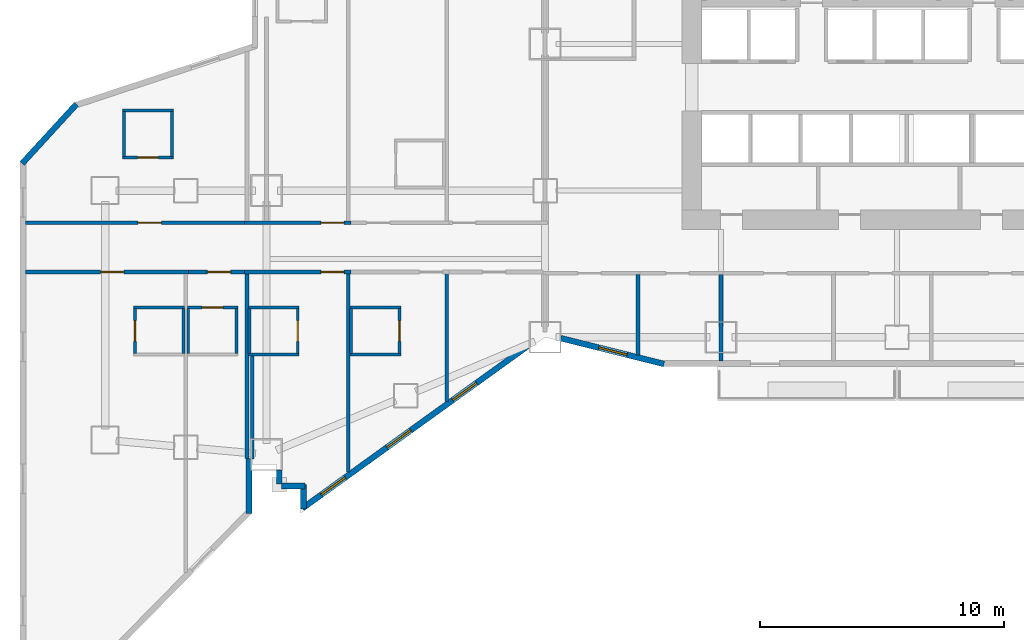
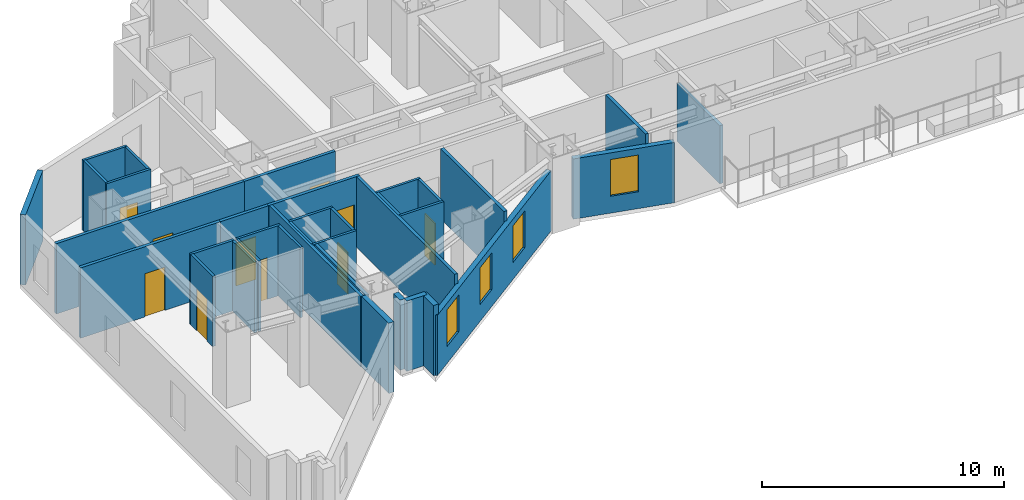
# One storey, part 7 of 19: 36 walls, 10 doors, 4 windows, 14 openings.
"""IFC4 building model written with IfcOpenShell, lengths in metres."""

import ifcopenshell
import ifcopenshell.guid

model = None  # the IFC model being written
_history = None  # IfcOwnerHistory: only IFC2X3 demands one
_inside = {}  # id of a spatial element -> (the spatial element, [elements in it])
_under = {}  # id of a project, library or spatial element -> (it, [spatial elements below it])
_declared = {}  # id of a project -> (the project, [libraries it declares])
_typed = {}  # id of a type object -> (the type object, [elements of that type])
_made_of = {}  # id of a material, layer set ... -> (it, [elements and type objects made of it])


def new_model(schema):
    """Start an empty IFC model of exactly this schema.

    Asked for "IFC4X3", IfcOpenShell would pick the latest addendum, in which some entities
    have other attributes; the version numbers below select the first issue.
    IFC2X3 requires an IfcOwnerHistory on every rooted entity: one is made here for all.
    """
    global model, _history
    if schema == "IFC4X3":
        model = ifcopenshell.file(schema_version=(4, 3, 0, 0))
    else:
        model = ifcopenshell.file(schema=schema)
    _inside.clear()
    _under.clear()
    _declared.clear()
    _typed.clear()
    _made_of.clear()
    _history = None
    if model.schema == "IFC2X3":
        org = make("IfcOrganization", Name="unknown")
        user = make(
            "IfcPersonAndOrganization",
            ThePerson=make("IfcPerson", FamilyName="unknown"),
            TheOrganization=org,
        )
        app = make(
            "IfcApplication",
            ApplicationDeveloper=org,
            Version="unknown",
            ApplicationFullName="unknown",
            ApplicationIdentifier="unknown",
        )
        _history = make(
            "IfcOwnerHistory",
            OwningUser=user,
            OwningApplication=app,
            ChangeAction="ADDED",
            CreationDate=0,
        )
    return model


def make(cls, **values):
    """One entity of the class cls with the attributes given. An attribute that is None is left unset."""
    return model.create_entity(
        cls, **{name: value for name, value in values.items() if value is not None}
    )


def rooted(cls, **values):
    """An entity with a GlobalId (a new one), such as an element, a storey or a relation."""
    return make(cls, GlobalId=ifcopenshell.guid.new(), OwnerHistory=_history, **values)


def si_unit(unit_type, name, prefix=None):
    """IfcSIUnit, for example si_unit("LENGTHUNIT", "METRE", prefix="MILLI")."""
    return make("IfcSIUnit", UnitType=unit_type, Prefix=prefix, Name=name)


def assignment(units):
    """IfcUnitAssignment: the units of a project."""
    return None if units is None else make("IfcUnitAssignment", Units=units)


def point(xyz):
    """IfcCartesianPoint."""
    return None if xyz is None else make("IfcCartesianPoint", Coordinates=xyz)


def direction(xyz):
    """IfcDirection."""
    return None if xyz is None else make("IfcDirection", DirectionRatios=xyz)


def frame(location, z_axis=None, x_axis=None):
    """IfcAxis2Placement3D, a coordinate frame: its origin and axes. An axis left out is left unset."""
    return make(
        "IfcAxis2Placement3D",
        Location=point(location),
        Axis=direction(z_axis),
        RefDirection=direction(x_axis),
    )


def frame_2d(location, x_axis=None):
    """IfcAxis2Placement2D, a coordinate frame in the plane: its origin and x axis."""
    return make(
        "IfcAxis2Placement2D", Location=point(location), RefDirection=direction(x_axis)
    )


def origin():
    """The frame at (0, 0, 0) with its axes left unset."""
    return frame((0.0, 0.0, 0.0))


def place(relative_to, where):
    """IfcLocalPlacement: puts the frame where relative to a parent placement (None: the world)."""
    return make(
        "IfcLocalPlacement", PlacementRelTo=relative_to, RelativePlacement=where
    )


def context(
    kind, dimensions, precision=None, world=None, true_north=None, identifier=None
):
    """IfcGeometricRepresentationContext, for example the 3D "Model" context."""
    return make(
        "IfcGeometricRepresentationContext",
        ContextIdentifier=identifier,
        ContextType=kind,
        CoordinateSpaceDimension=dimensions,
        Precision=precision,
        WorldCoordinateSystem=world,
        TrueNorth=true_north,
    )


def subcontext(parent, identifier, kind, view, scale=None):
    """IfcGeometricRepresentationSubContext, for example "Body" below "Model"."""
    return make(
        "IfcGeometricRepresentationSubContext",
        ContextIdentifier=identifier,
        ContextType=kind,
        ParentContext=parent,
        TargetScale=scale,
        TargetView=view,
    )


def project(units=None, contexts=None):
    """IfcProject with its units and contexts."""
    return rooted(
        "IfcProject",
        Name="project",
        RepresentationContexts=contexts,
        UnitsInContext=assignment(units),
    )


def spatial(cls, under=None, at=None, **own):
    """A site, building, storey or space (cls), placed at a placement, below another one or the project."""
    s = rooted(cls, ObjectPlacement=at, **own)
    if under is not None:
        _under.setdefault(under.id(), (under, []))[1].append(s)
    return s


def profile(cls, at=None, kind="AREA", **sizes):
    """A parametric profile (cls). Its sizes go by their IFC names, for example OverallWidth=200.0."""
    return make(cls, ProfileType=kind, Position=at, **sizes)


def rectangle(**sizes):
    """IfcRectangleProfileDef."""
    return profile("IfcRectangleProfileDef", **sizes)


def extrude(swept, where, along, depth):
    """IfcExtrudedAreaSolid: the profile swept, set in the frame where, extruded along a direction by depth."""
    return make(
        "IfcExtrudedAreaSolid",
        SweptArea=swept,
        Position=where,
        ExtrudedDirection=direction(along),
        Depth=depth,
    )


def shape(context_of_items, identifier, shape_type, items):
    """IfcShapeRepresentation: the items that make up one representation, for example the "Body"."""
    return make(
        "IfcShapeRepresentation",
        ContextOfItems=context_of_items,
        RepresentationIdentifier=identifier,
        RepresentationType=shape_type,
        Items=items,
    )


def material(Name=None, Category=None):
    """IfcMaterial."""
    return make("IfcMaterial", Name=Name, Category=Category)


def layer(
    of_material, thickness, ventilated=None, Name=None, Category=None, Priority=None
):
    """IfcMaterialLayer: one layer of a wall or slab, of a material (None: an air gap)."""
    return make(
        "IfcMaterialLayer",
        Material=of_material,
        LayerThickness=thickness,
        IsVentilated=ventilated,
        Name=Name,
        Category=Category,
        Priority=Priority,
    )


def layer_set(layers, Name=None):
    """IfcMaterialLayerSet."""
    return make("IfcMaterialLayerSet", MaterialLayers=layers, LayerSetName=Name)


def made_of(thing, what):
    """Note that an element or type object is made of a material, layer set ...; save() writes the relation."""
    if what is not None:
        _made_of.setdefault(what.id(), (what, []))[1].append(thing)
    return thing


def type_object(cls, material=None, **own):
    """A type object (cls), such as IfcWallType, which elements share."""
    return made_of(rooted(cls, **own), material)


def element(
    cls,
    number,
    at=None,
    inside=None,
    cuts=None,
    type_object=None,
    material=None,
    context=None,
    identifier="Body",
    shape_type=None,
    held_by="IfcProductDefinitionShape",
    body=None,
    shapes=None,
    **own,
):
    """One element of the class cls, such as IfcWall. Its Tag is "e" and its number.

    at: its placement. inside: the storey or other place that contains it. cuts: it is an
    opening in that element (IfcRelVoidsElement). A single representation is given by context,
    identifier, shape_type and body (its items); several are given by shapes. held_by: the class
    of the entity that holds the representations. save() writes the other relations.
    """
    e = rooted(cls, Tag="e%d" % number, ObjectPlacement=at, **own)
    if body is not None:
        shapes = [shape(context, identifier, shape_type, body)]
    if shapes is not None:
        e.Representation = make(held_by, Representations=shapes)
    if inside is not None:
        _inside.setdefault(inside.id(), (inside, []))[1].append(e)
    if cuts is not None:
        rooted(
            "IfcRelVoidsElement", RelatingBuildingElement=cuts, RelatedOpeningElement=e
        )
    if type_object is not None:
        _typed.setdefault(type_object.id(), (type_object, []))[1].append(e)
    return made_of(e, material)


def fill(opening, filler):
    """IfcRelFillsElement: the door or window that sits in an opening."""
    return rooted(
        "IfcRelFillsElement",
        RelatingOpeningElement=opening,
        RelatedBuildingElement=filler,
    )


def aggregate(whole, parts):
    """IfcRelAggregates: a whole, such as a stair, and the parts it consists of."""
    return rooted("IfcRelAggregates", RelatingObject=whole, RelatedObjects=parts)


def save(model, path):
    """Write the relations noted so far, then the file.

    IfcRelAggregates (storeys below a building ...), IfcRelContainedInSpatialStructure (elements
    in a storey), IfcRelDefinesByType, IfcRelAssociatesMaterial and IfcRelDeclares: one each for
    every whole, place, type object, material and project.
    """
    for whole, parts in _under.values():
        aggregate(whole, parts)
    for where, things in _inside.values():
        rooted(
            "IfcRelContainedInSpatialStructure",
            RelatedElements=things,
            RelatingStructure=where,
        )
    for kind, things in _typed.values():
        rooted("IfcRelDefinesByType", RelatedObjects=things, RelatingType=kind)
    for what, things in _made_of.values():
        rooted("IfcRelAssociatesMaterial", RelatedObjects=things, RelatingMaterial=what)
    for by, libraries in _declared.values():
        rooted("IfcRelDeclares", RelatingContext=by, RelatedDefinitions=libraries)
    model.write(path)


model = new_model("IFC4")

# Units and contexts
model_context = context("Model", 3, precision=1e-05, world=origin(), true_north=direction((0.0, 1.0)))
body_context = subcontext(model_context, "Body", "Model", "MODEL_VIEW")
ifc_project = project(units=[si_unit("LENGTHUNIT", "METRE"), si_unit("AREAUNIT", "SQUARE_METRE"), si_unit("VOLUMEUNIT", "CUBIC_METRE"), si_unit("PLANEANGLEUNIT", "RADIAN"), si_unit("MASSUNIT", "GRAM", prefix="KILO")], contexts=[model_context])

# Site, building, storey
site_placement = place(None, origin())
site = spatial("IfcSite", under=ifc_project, at=site_placement, CompositionType="ELEMENT")
building_placement = place(site_placement, origin())
building = spatial("IfcBuilding", under=site, at=building_placement, Name="Haolan Belvedere Tower", CompositionType="ELEMENT")
storey_placement = place(building_placement, frame((0.0, 0.0, 39.199951171875)))
storey = spatial("IfcBuildingStorey", under=building, at=storey_placement, Name="L09", CompositionType="ELEMENT", Elevation=39.199951171875)

# Walls
ifc_material_1 = material(Name="Precast concrete C40/50", Category="concrete")
ifc_layer_1 = layer(ifc_material_1, 0.239990234375, Name="Precast concrete C40/50")
ifc_layer_set_1 = layer_set([ifc_layer_1], Name="Precast concrete C40/50")
wall_type_1 = type_object("IfcWallType", Name="WL-EXT-240", PredefinedType="SOLIDWALL", material=ifc_layer_set_1)
wall_1_placement = place(storey_placement, frame((11.8798828125, 14.39404296875, 0.0), z_axis=(0.0, 0.0, 1.0), x_axis=(0.0, 1.0, 0.0)))
element("IfcWall", 1, at=wall_1_placement, inside=storey, type_object=wall_type_1, Name="L09 pale-metal exterior spandrel wall 6.1", PredefinedType="SOLIDWALL", context=body_context, shape_type="SweptSolid", body=[
    extrude(rectangle(XDim=2.245849609375, YDim=0.239990234375, at=frame_2d((1.123046875, 0.0))), origin(), (0.0, 0.0, 1.0), 3.5400390625),
])
wall_2_placement = place(storey_placement, frame((13.1201171875, 16.157958984375, 0.0), z_axis=(0.0, 0.0, 1.0), x_axis=(0.0, -1.0, 0.0)))
element("IfcWall", 2, at=wall_2_placement, inside=storey, type_object=wall_type_1, Name="L09 pale-metal exterior spandrel wall 8.1", PredefinedType="SOLIDWALL", context=body_context, shape_type="SweptSolid", body=[
    extrude(rectangle(XDim=0.552978515625, YDim=0.239990234375, at=frame_2d((0.2763671875, 0.0))), origin(), (0.0, 0.0, 1.0), 3.5400390625),
])
wall_3_placement = place(storey_placement, frame((13.205078125, 15.52001953125, 0.0), z_axis=(0.0, 0.0, 1.0), x_axis=(1.0, 0.0, 0.0)))
element("IfcWall", 3, at=wall_3_placement, inside=storey, type_object=wall_type_1, Name="L09 pale-metal exterior spandrel wall 9.1", PredefinedType="SOLIDWALL", context=body_context, shape_type="SweptSolid", body=[
    extrude(rectangle(XDim=0.969970703125, YDim=0.239990234375, at=frame_2d((0.48486328125, 0.0))), origin(), (0.0, 0.0, 1.0), 3.5400390625),
])
wall_4_placement = place(storey_placement, frame((14.1201171875, 15.574951171875, 0.0), z_axis=(0.0, 0.0, 1.0), x_axis=(0.0, -1.0, 0.0)))
element("IfcWall", 4, at=wall_4_placement, inside=storey, type_object=wall_type_1, Name="L09 pale-metal exterior spandrel wall 10.1", PredefinedType="SOLIDWALL", context=body_context, shape_type="SweptSolid", body=[
    extrude(rectangle(XDim=0.99560546875, YDim=0.239990234375, at=frame_2d((0.497802734375, 0.0))), origin(), (0.0, 0.0, 1.0), 3.5400390625),
])

# Wall, openings, windows
wall_5_placement = place(storey_placement, frame((14.075439453125, 14.602294921875, 0.0), z_axis=(0.0, 0.0, 1.0), x_axis=(0.811535555989, 0.584303038984, 0.0)))
wall_5 = element("IfcWall", 5, at=wall_5_placement, inside=storey, type_object=wall_type_1, Name="L09 pale-metal exterior spandrel wall 11.1", PredefinedType="SOLIDWALL", context=body_context, shape_type="SweptSolid", body=[
    extrude(rectangle(XDim=11.438232421875, YDim=0.239990234375, at=frame_2d((5.71923828125, 0.0))), origin(), (0.0, 0.0, 1.0), 3.037109375),
])
opening_1_placement = place(wall_5_placement, frame((0.950439453125, 0.0, 0.85009765625)))
opening_1 = element("IfcOpeningElement", 6, at=opening_1_placement, cuts=wall_5, Name="Opening W-01", PredefinedType="OPENING", context=body_context, shape_type="SweptSolid", body=[
    extrude(rectangle(XDim=1.199951171875, YDim=1.85009765625, at=frame_2d((0.60009765625, 0.925048828125))), frame((0.0, 0.1298828125, 0.0), z_axis=(0.0, -1.0, 0.0), x_axis=(1.0, 0.0, 0.0)), (0.0, 0.0, 1.0), 0.260009765625),
])
opening_2_placement = place(wall_5_placement, frame((7.57421875, 0.0, 0.85009765625)))
opening_2 = element("IfcOpeningElement", 7, at=opening_2_placement, cuts=wall_5, Name="Opening W-01", PredefinedType="OPENING", context=body_context, shape_type="SweptSolid", body=[
    extrude(rectangle(XDim=1.199951171875, YDim=1.85009765625, at=frame_2d((0.60009765625, 0.925048828125))), frame((0.0, 0.1298828125, 0.0), z_axis=(0.0, -1.0, 0.0), x_axis=(1.0, 0.0, 0.0)), (0.0, 0.0, 1.0), 0.260009765625),
])
opening_3_placement = place(wall_5_placement, frame((4.26220703125, 0.0, 0.85009765625)))
opening_3 = element("IfcOpeningElement", 8, at=opening_3_placement, cuts=wall_5, Name="Opening W-01", PredefinedType="OPENING", context=body_context, shape_type="SweptSolid", body=[
    extrude(rectangle(XDim=1.199951171875, YDim=1.85009765625, at=frame_2d((0.60009765625, 0.925048828125))), frame((0.0, 0.1298828125, 0.0), z_axis=(0.0, -1.0, 0.0), x_axis=(1.0, 0.0, 0.0)), (0.0, 0.0, 1.0), 0.260009765625),
])
ifc_material_2 = material(Name="Anodised aluminium 6063-T6 and Low-E glass", Category="aluminium")
window_type = type_object("IfcWindowType", Name="WN-DECO-Z1", PartitioningType="SINGLE_PANEL", PredefinedType="WINDOW", material=ifc_material_2)
window_1_placement = place(opening_1_placement, origin())
window_1 = element("IfcWindow", 9, at=window_1_placement, inside=storey, type_object=window_type, Name="L09 Art Deco chevron window 1", OverallHeight=1.85009765625, OverallWidth=1.199951171875, PartitioningType="SINGLE_PANEL", PredefinedType="WINDOW", context=body_context, shape_type="SweptSolid", body=[
    extrude(rectangle(XDim=1.199951171875, YDim=1.85009765625, at=frame_2d((0.60009765625, 0.925048828125))), frame((0.0, 0.030029296875, 0.0), z_axis=(0.0, -1.0, 0.0), x_axis=(1.0, 0.0, 0.0)), (0.0, 0.0, 1.0), 0.06005859375),
])
fill(opening_1, window_1)
window_2_placement = place(opening_2_placement, origin())
window_2 = element("IfcWindow", 10, at=window_2_placement, inside=storey, type_object=window_type, Name="L09 Art Deco chevron window 2", OverallHeight=1.85009765625, OverallWidth=1.199951171875, PartitioningType="SINGLE_PANEL", PredefinedType="WINDOW", context=body_context, shape_type="SweptSolid", body=[
    extrude(rectangle(XDim=1.199951171875, YDim=1.85009765625, at=frame_2d((0.60009765625, 0.925048828125))), frame((0.0, 0.030029296875, 0.0), z_axis=(0.0, -1.0, 0.0), x_axis=(1.0, 0.0, 0.0)), (0.0, 0.0, 1.0), 0.06005859375),
])
fill(opening_2, window_2)
window_3_placement = place(opening_3_placement, origin())
window_3 = element("IfcWindow", 11, at=window_3_placement, inside=storey, type_object=window_type, Name="L09 Art Deco guestroom window 1", OverallHeight=1.85009765625, OverallWidth=1.199951171875, PartitioningType="SINGLE_PANEL", PredefinedType="WINDOW", context=body_context, shape_type="SweptSolid", body=[
    extrude(rectangle(XDim=1.199951171875, YDim=1.85009765625, at=frame_2d((0.60009765625, 0.925048828125))), frame((0.0, 0.030029296875, 0.0), z_axis=(0.0, -1.0, 0.0), x_axis=(1.0, 0.0, 0.0)), (0.0, 0.0, 1.0), 0.06005859375),
])
fill(opening_3, window_3)

# Wall, opening, window
wall_6_placement = place(storey_placement, frame((24.64208984375, 21.563232421875, 0.0), z_axis=(0.0, 0.0, 1.0), x_axis=(0.970135906278, -0.242561998982, 0.0)))
wall_6 = element("IfcWall", 12, at=wall_6_placement, inside=storey, type_object=wall_type_1, Name="L09 pale-metal exterior spandrel wall 12.1", PredefinedType="SOLIDWALL", context=body_context, shape_type="SweptSolid", body=[
    extrude(rectangle(XDim=4.356201171875, YDim=0.239990234375, at=frame_2d((2.17822265625, 0.0))), origin(), (0.0, 0.0, 1.0), 3.037109375),
])
opening_4_placement = place(wall_6_placement, frame((1.60009765625, 0.0, 0.85009765625)))
opening_4 = element("IfcOpeningElement", 13, at=opening_4_placement, cuts=wall_6, Name="Opening W-01", PredefinedType="OPENING", context=body_context, shape_type="SweptSolid", body=[
    extrude(rectangle(XDim=1.199951171875, YDim=1.85009765625, at=frame_2d((0.60009765625, 0.925048828125))), frame((0.0, 0.1298828125, 0.0), z_axis=(0.0, -1.0, 0.0), x_axis=(1.0, 0.0, 0.0)), (0.0, 0.0, 1.0), 0.260009765625),
])
window_4_placement = place(opening_4_placement, origin())
window_4 = element("IfcWindow", 14, at=window_4_placement, inside=storey, type_object=window_type, Name="L09 Art Deco chevron window 1", OverallHeight=1.85009765625, OverallWidth=1.199951171875, PartitioningType="SINGLE_PANEL", PredefinedType="WINDOW", context=body_context, shape_type="SweptSolid", body=[
    extrude(rectangle(XDim=1.199951171875, YDim=1.85009765625, at=frame_2d((0.60009765625, 0.925048828125))), frame((0.0, 0.030029296875, 0.0), z_axis=(0.0, -1.0, 0.0), x_axis=(1.0, 0.0, 0.0)), (0.0, 0.0, 1.0), 0.06005859375),
])
fill(opening_4, window_4)

# Walls
wall_7_placement = place(storey_placement, frame((4.824462890625, 31.13623046875, 0.0), z_axis=(0.0, 0.0, 1.0), x_axis=(-0.675771705575, -0.737110983465, 0.0)))
element("IfcWall", 15, at=wall_7_placement, inside=storey, type_object=wall_type_1, Name="L09 pale-metal exterior spandrel wall 58.1", PredefinedType="SOLIDWALL", context=body_context, shape_type="SweptSolid", body=[
    extrude(rectangle(XDim=3.28759765625, YDim=0.239990234375, at=frame_2d((1.643798828125, 0.0))), origin(), (0.0, 0.0, 1.0), 3.5400390625),
])
ifc_material_3 = material(Name="Double gypsum acoustic stud partition", Category="masonry")
ifc_layer_2 = layer(ifc_material_3, 0.14990234375, Name="Double gypsum acoustic stud partition")
ifc_layer_set_2 = layer_set([ifc_layer_2], Name="Double gypsum acoustic stud partition")
wall_type_2 = type_object("IfcWallType", Name="WL-PART-150", PredefinedType="PARTITIONING", material=ifc_layer_set_2)
wall_8_placement = place(storey_placement, frame((27.800048828125, 20.882080078125, 0.0), z_axis=(0.0, 0.0, 1.0), x_axis=(0.0, 1.0, 0.0)))
element("IfcWall", 16, at=wall_8_placement, inside=storey, type_object=wall_type_2, Name="L09 interior partition IW-L09-KS1-E", PredefinedType="PARTITIONING", context=body_context, shape_type="SweptSolid", body=[
    extrude(rectangle(XDim=3.27783203125, YDim=0.14990234375, at=frame_2d((1.638916015625, 0.0))), origin(), (0.0, 0.0, 1.0), 3.5400390625),
])
wall_9_placement = place(storey_placement, frame((31.199951171875, 20.625, 0.0), z_axis=(0.0, 0.0, 1.0), x_axis=(0.0, 1.0, 0.0)))
element("IfcWall", 17, at=wall_9_placement, inside=storey, type_object=wall_type_2, Name="L09 interior partition IW-L09-KS2-E", PredefinedType="PARTITIONING", context=body_context, shape_type="SweptSolid", body=[
    extrude(rectangle(XDim=3.534912109375, YDim=0.14990234375, at=frame_2d((1.767578125, 0.0))), origin(), (0.0, 0.0, 1.0), 2.925048828125),
])

# Wall, opening, door
wall_10_placement = place(storey_placement, frame((11.699951171875, 26.280029296875, 0.0), z_axis=(0.0, 0.0, 1.0), x_axis=(1.0, 0.0, 0.0)))
wall_10 = element("IfcWall", 18, at=wall_10_placement, inside=storey, type_object=wall_type_2, Name="L09 interior partition IW-L09-T2N1-S", PredefinedType="PARTITIONING", context=body_context, shape_type="SweptSolid", body=[
    extrude(rectangle(XDim=4.35009765625, YDim=0.14990234375, at=frame_2d((2.175048828125, 0.0))), origin(), (0.0, 0.0, 1.0), 3.5400390625),
])
opening_5_placement = place(wall_10_placement, frame((3.1298828125, 0.0, 0.0)))
opening_5 = element("IfcOpeningElement", 19, at=opening_5_placement, cuts=wall_10, Name="Opening ID-02", PredefinedType="OPENING", context=body_context, shape_type="SweptSolid", body=[
    extrude(rectangle(XDim=0.949951171875, YDim=2.14990234375, at=frame_2d((0.47509765625, 1.074951171875))), frame((0.0, 0.0849609375, 0.0), z_axis=(0.0, -1.0, 0.0), x_axis=(1.0, 0.0, 0.0)), (0.0, 0.0, 1.0), 0.169921875),
])
ifc_material_4 = material(Name="Acoustic oak veneer fire-rated timber", Category="wood")
door_type_1 = type_object("IfcDoorType", Name="DR-GUEST-950", OperationType="NOTDEFINED", PredefinedType="DOOR", material=ifc_material_4)
door_1_placement = place(opening_5_placement, origin())
door_1 = element("IfcDoor", 20, at=door_1_placement, inside=storey, type_object=door_type_1, Name="L09 door ID-L09-T2N1-ENT", OperationType="SINGLE_SWING_RIGHT", OverallHeight=2.14990234375, OverallWidth=0.949951171875, PredefinedType="DOOR", context=body_context, shape_type="SweptSolid", body=[
    extrude(rectangle(XDim=0.949951171875, YDim=2.14990234375, at=frame_2d((0.47509765625, 1.074951171875))), frame((0.0, 0.02490234375, 0.0), z_axis=(0.0, -1.0, 0.0), x_axis=(1.0, 0.0, 0.0)), (0.0, 0.0, 1.0), 0.050048828125),
])
fill(opening_5, door_1)

wall_11_placement = place(storey_placement, frame((11.699951171875, 24.27001953125, 0.0), z_axis=(0.0, 0.0, 1.0), x_axis=(1.0, 0.0, 0.0)))
wall_11 = element("IfcWall", 21, at=wall_11_placement, inside=storey, type_object=wall_type_2, Name="L09 interior partition IW-L09-T2S1-N", PredefinedType="PARTITIONING", context=body_context, shape_type="SweptSolid", body=[
    extrude(rectangle(XDim=4.35009765625, YDim=0.14990234375, at=frame_2d((2.175048828125, 0.0))), origin(), (0.0, 0.0, 1.0), 3.5400390625),
])
opening_6_placement = place(wall_11_placement, frame((4.079833984375, 0.0, 0.0), z_axis=(0.0, 0.0, 1.0), x_axis=(-1.0, 0.0, 0.0)))
opening_6 = element("IfcOpeningElement", 22, at=opening_6_placement, cuts=wall_11, Name="Opening ID-02", PredefinedType="OPENING", context=body_context, shape_type="SweptSolid", body=[
    extrude(rectangle(XDim=0.949951171875, YDim=2.14990234375, at=frame_2d((0.47509765625, 1.074951171875))), frame((0.0, 0.0849609375, 0.0), z_axis=(0.0, -1.0, 0.0), x_axis=(1.0, 0.0, 0.0)), (0.0, 0.0, 1.0), 0.169921875),
])
door_2_placement = place(opening_6_placement, origin())
door_2 = element("IfcDoor", 23, at=door_2_placement, inside=storey, type_object=door_type_1, Name="L09 door ID-L09-T2S1-ENT", OperationType="SINGLE_SWING_LEFT", OverallHeight=2.14990234375, OverallWidth=0.949951171875, PredefinedType="DOOR", context=body_context, shape_type="SweptSolid", body=[
    extrude(rectangle(XDim=0.949951171875, YDim=2.14990234375, at=frame_2d((0.47509765625, 1.074951171875))), frame((0.0, 0.02490234375, 0.0), z_axis=(0.0, -1.0, 0.0), x_axis=(1.0, 0.0, 0.0)), (0.0, 0.0, 1.0), 0.050048828125),
])
fill(opening_6, door_2)

# Walls
wall_12_placement = place(storey_placement, frame((11.800048828125, 16.64208984375, 0.0), z_axis=(0.0, 0.0, 1.0), x_axis=(0.0, 1.0, 0.0)))
element("IfcWall", 24, at=wall_12_placement, inside=storey, type_object=wall_type_2, Name="L09 interior partition IW-L09-T2S1-W", PredefinedType="PARTITIONING", context=body_context, shape_type="SweptSolid", body=[
    extrude(rectangle(XDim=7.56787109375, YDim=0.14990234375, at=frame_2d((3.783935546875, 0.0))), origin(), (0.0, 0.0, 1.0), 3.5400390625),
])
wall_13_placement = place(storey_placement, frame((15.949951171875, 16.081298828125, 0.0), z_axis=(0.0, 0.0, 1.0), x_axis=(0.0, 1.0, 0.0)))
element("IfcWall", 25, at=wall_13_placement, inside=storey, type_object=wall_type_2, Name="L09 interior partition IW-L09-T2S1-E", PredefinedType="PARTITIONING", context=body_context, shape_type="SweptSolid", body=[
    extrude(rectangle(XDim=8.128662109375, YDim=0.14990234375, at=frame_2d((4.064453125, 0.0))), origin(), (0.0, 0.0, 1.0), 3.5400390625),
])
wall_14_placement = place(storey_placement, frame((19.969970703125, 18.9755859375, 0.0), z_axis=(0.0, 0.0, 1.0), x_axis=(0.0, 1.0, 0.0)))
element("IfcWall", 26, at=wall_14_placement, inside=storey, type_object=wall_type_2, Name="L09 interior partition IW-L09-T2S2-E", PredefinedType="PARTITIONING", context=body_context, shape_type="SweptSolid", body=[
    extrude(rectangle(XDim=5.234375, YDim=0.14990234375, at=frame_2d((2.6171875, 0.0))), origin(), (0.0, 0.0, 1.0), 3.5400390625),
])

# Wall, opening, door
wall_15_placement = place(storey_placement, frame((2.7451171875, 24.27001953125, 0.0), z_axis=(0.0, 0.0, 1.0), x_axis=(1.0, 0.0, 0.0)))
wall_15 = element("IfcWall", 27, at=wall_15_placement, inside=storey, type_object=wall_type_2, Name="L09 interior partition IW-L09-T1S1-N", PredefinedType="PARTITIONING", context=body_context, shape_type="SweptSolid", body=[
    extrude(rectangle(XDim=6.65478515625, YDim=0.14990234375, at=frame_2d((3.327392578125, 0.0))), origin(), (0.0, 0.0, 1.0), 3.5400390625),
])
opening_7_placement = place(wall_15_placement, frame((4.019775390625, 0.0, 0.0), z_axis=(0.0, 0.0, 1.0), x_axis=(-1.0, 0.0, 0.0)))
opening_7 = element("IfcOpeningElement", 28, at=opening_7_placement, cuts=wall_15, Name="Opening ID-01", PredefinedType="OPENING", context=body_context, shape_type="SweptSolid", body=[
    extrude(rectangle(XDim=0.949951171875, YDim=2.179931640625, at=frame_2d((0.47509765625, 1.08984375))), frame((0.0, 0.0849609375, 0.0), z_axis=(0.0, -1.0, 0.0), x_axis=(1.0, 0.0, 0.0)), (0.0, 0.0, 1.0), 0.169921875),
])
ifc_material_5 = material(Name="Acoustic walnut veneer fire-rated timber", Category="wood")
door_type_2 = type_object("IfcDoorType", Name="DR-SUITE-950", OperationType="NOTDEFINED", PredefinedType="DOOR", material=ifc_material_5)
door_3_placement = place(opening_7_placement, origin())
door_3 = element("IfcDoor", 29, at=door_3_placement, inside=storey, type_object=door_type_2, Name="L09 door ID-L09-T1S1-ENT", OperationType="SINGLE_SWING_RIGHT", OverallHeight=2.179931640625, OverallWidth=0.949951171875, PredefinedType="DOOR", context=body_context, shape_type="SweptSolid", body=[
    extrude(rectangle(XDim=0.949951171875, YDim=2.179931640625, at=frame_2d((0.47509765625, 1.08984375))), frame((0.0, 0.02490234375, 0.0), z_axis=(0.0, -1.0, 0.0), x_axis=(1.0, 0.0, 0.0)), (0.0, 0.0, 1.0), 0.050048828125),
])
fill(opening_7, door_3)

wall_16_placement = place(storey_placement, frame((9.402099609375, 24.27001953125, 0.0), z_axis=(0.0, 0.0, 1.0), x_axis=(1.0, 0.0, 0.0)))
wall_16 = element("IfcWall", 30, at=wall_16_placement, inside=storey, type_object=wall_type_2, Name="L09 interior partition IW-L09-T1S2-N", PredefinedType="PARTITIONING", context=body_context, shape_type="SweptSolid", body=[
    extrude(rectangle(XDim=2.2958984375, YDim=0.14990234375, at=frame_2d((1.14794921875, 0.0))), origin(), (0.0, 0.0, 1.0), 3.5400390625),
])
opening_8_placement = place(wall_16_placement, frame((1.73291015625, 0.0, 0.0), z_axis=(0.0, 0.0, 1.0), x_axis=(-1.0, 0.0, 0.0)))
opening_8 = element("IfcOpeningElement", 31, at=opening_8_placement, cuts=wall_16, Name="Opening ID-02", PredefinedType="OPENING", context=body_context, shape_type="SweptSolid", body=[
    extrude(rectangle(XDim=0.949951171875, YDim=2.14990234375, at=frame_2d((0.47509765625, 1.074951171875))), frame((0.0, 0.0849609375, 0.0), z_axis=(0.0, -1.0, 0.0), x_axis=(1.0, 0.0, 0.0)), (0.0, 0.0, 1.0), 0.169921875),
])
door_4_placement = place(opening_8_placement, origin())
door_4 = element("IfcDoor", 32, at=door_4_placement, inside=storey, type_object=door_type_1, Name="L09 door ID-L09-T1S2-ENT", OperationType="SINGLE_SWING_LEFT", OverallHeight=2.14990234375, OverallWidth=0.949951171875, PredefinedType="DOOR", context=body_context, shape_type="SweptSolid", body=[
    extrude(rectangle(XDim=0.949951171875, YDim=2.14990234375, at=frame_2d((0.47509765625, 1.074951171875))), frame((0.0, 0.02490234375, 0.0), z_axis=(0.0, -1.0, 0.0), x_axis=(1.0, 0.0, 0.0)), (0.0, 0.0, 1.0), 0.050048828125),
])
fill(opening_8, door_4)

# Wall
wall_17_placement = place(storey_placement, frame((12.02001953125, 16.612060546875, 0.0), z_axis=(0.0, 0.0, 1.0), x_axis=(0.0, 1.0, 0.0)))
element("IfcWall", 33, at=wall_17_placement, inside=storey, type_object=wall_type_2, Name="L09 interior partition IW-L09-T1S2-E", PredefinedType="PARTITIONING", context=body_context, shape_type="SweptSolid", body=[
    extrude(rectangle(XDim=4.242919921875, YDim=0.14990234375, at=frame_2d((2.12158203125, 0.0))), origin(), (0.0, 0.0, 1.0), 3.5400390625),
])

# Wall, opening, door
wall_18_placement = place(storey_placement, frame((2.7451171875, 26.280029296875, 0.0), z_axis=(0.0, 0.0, 1.0), x_axis=(1.0, 0.0, 0.0)))
wall_18 = element("IfcWall", 34, at=wall_18_placement, inside=storey, type_object=wall_type_2, Name="L09 interior partition IW-L09-T1N1-S", PredefinedType="PARTITIONING", context=body_context, shape_type="SweptSolid", body=[
    extrude(rectangle(XDim=8.952880859375, YDim=0.14990234375, at=frame_2d((4.4765625, 0.0))), origin(), (0.0, 0.0, 1.0), 3.5400390625),
])
opening_9_placement = place(wall_18_placement, frame((4.60693359375, 0.0, 0.0)))
opening_9 = element("IfcOpeningElement", 35, at=opening_9_placement, cuts=wall_18, Name="Opening ID-02", PredefinedType="OPENING", context=body_context, shape_type="SweptSolid", body=[
    extrude(rectangle(XDim=0.949951171875, YDim=2.14990234375, at=frame_2d((0.47509765625, 1.074951171875))), frame((0.0, 0.0849609375, 0.0), z_axis=(0.0, -1.0, 0.0), x_axis=(1.0, 0.0, 0.0)), (0.0, 0.0, 1.0), 0.169921875),
])
door_5_placement = place(opening_9_placement, origin())
door_5 = element("IfcDoor", 36, at=door_5_placement, inside=storey, type_object=door_type_1, Name="L09 door ID-L09-T1N1-ENT", OperationType="SINGLE_SWING_RIGHT", OverallHeight=2.14990234375, OverallWidth=0.949951171875, PredefinedType="DOOR", context=body_context, shape_type="SweptSolid", body=[
    extrude(rectangle(XDim=0.949951171875, YDim=2.14990234375, at=frame_2d((0.47509765625, 1.074951171875))), frame((0.0, 0.02490234375, 0.0), z_axis=(0.0, -1.0, 0.0), x_axis=(1.0, 0.0, 0.0)), (0.0, 0.0, 1.0), 0.050048828125),
])
fill(opening_9, door_5)

# Walls
ifc_material_6 = material(Name="Moisture-resistant gypsum tile partition", Category="masonry")
ifc_layer_3 = layer(ifc_material_6, 0.1201171875, Name="Moisture-resistant gypsum tile partition")
ifc_layer_set_3 = layer_set([ifc_layer_3], Name="Moisture-resistant gypsum tile partition")
wall_type_3 = type_object("IfcWallType", Name="WL-WET-120", PredefinedType="PARTITIONING", material=ifc_layer_set_3)
for number, where, z_axis, x_axis, name in (
    (37, (11.860107421875, 22.820068359375, 0.0), (0.0, 0.0, 1.0), (1.0, 0.0, 0.0), "L09 interior partition IW-L09-T2S1-BN"),
    (38, (11.860107421875, 20.89990234375, 0.0), (0.0, 0.0, 1.0), (1.0, 0.0, 0.0), "L09 interior partition IW-L09-T2S1-BS"),
):
    element("IfcWall", number, at=place(storey_placement, frame(where, z_axis=z_axis, x_axis=x_axis)), inside=storey, type_object=wall_type_3, Name=name, PredefinedType="PARTITIONING", context=body_context, shape_type="SweptSolid", body=[
        extrude(rectangle(XDim=2.079833984375, YDim=0.1201171875, at=frame_2d((1.0400390625, 0.0))), origin(), (0.0, 0.0, 1.0), 3.5400390625),
    ])
wall_19_placement = place(storey_placement, frame((11.89990234375, 20.945068359375, 0.0), z_axis=(0.0, 0.0, 1.0), x_axis=(0.0, 1.0, 0.0)))
element("IfcWall", 39, at=wall_19_placement, inside=storey, type_object=wall_type_3, Name="L09 interior partition IW-L09-T2S1-BW", PredefinedType="PARTITIONING", context=body_context, shape_type="SweptSolid", body=[
    extrude(rectangle(XDim=1.829833984375, YDim=0.1201171875, at=frame_2d((0.9150390625, 0.0))), origin(), (0.0, 0.0, 1.0), 3.5400390625),
])

# Wall, opening, door
wall_20_placement = place(storey_placement, frame((13.8798828125, 20.945068359375, 0.0), z_axis=(0.0, 0.0, 1.0), x_axis=(0.0, 1.0, 0.0)))
wall_20 = element("IfcWall", 40, at=wall_20_placement, inside=storey, type_object=wall_type_3, Name="L09 interior partition IW-L09-T2S1-BE", PredefinedType="PARTITIONING", context=body_context, shape_type="SweptSolid", body=[
    extrude(rectangle(XDim=1.829833984375, YDim=0.1201171875, at=frame_2d((0.9150390625, 0.0))), origin(), (0.0, 0.0, 1.0), 3.5400390625),
])
opening_10_placement = place(wall_20_placement, frame((0.489990234375, 0.0, 0.0)))
opening_10 = element("IfcOpeningElement", 41, at=opening_10_placement, cuts=wall_20, Name="Opening ID-05", PredefinedType="OPENING", context=body_context, shape_type="SweptSolid", body=[
    extrude(rectangle(XDim=0.85009765625, YDim=2.10009765625, at=frame_2d((0.425048828125, 1.050048828125))), frame((0.0, 0.070068359375, 0.0), z_axis=(0.0, -1.0, 0.0), x_axis=(1.0, 0.0, 0.0)), (0.0, 0.0, 1.0), 0.14013671875),
])
ifc_material_7 = material(Name="Moisture-resistant lacquered timber", Category="wood")
door_type_3 = type_object("IfcDoorType", Name="DR-BATH-850", OperationType="NOTDEFINED", PredefinedType="DOOR", material=ifc_material_7)
door_6_placement = place(opening_10_placement, origin())
door_6 = element("IfcDoor", 42, at=door_6_placement, inside=storey, type_object=door_type_3, Name="L09 door ID-L09-T2S1-BATH", OperationType="SINGLE_SWING_RIGHT", OverallHeight=2.10009765625, OverallWidth=0.85009765625, PredefinedType="DOOR", context=body_context, shape_type="SweptSolid", body=[
    extrude(rectangle(XDim=0.85009765625, YDim=2.10009765625, at=frame_2d((0.425048828125, 1.050048828125))), frame((0.0, 0.02490234375, 0.0), z_axis=(0.0, -1.0, 0.0), x_axis=(1.0, 0.0, 0.0)), (0.0, 0.0, 1.0), 0.050048828125),
])
fill(opening_10, door_6)

# Walls
for number, where, z_axis, x_axis, name in (
    (43, (16.010009765625, 22.820068359375, 0.0), (0.0, 0.0, 1.0), (1.0, 0.0, 0.0), "L09 interior partition IW-L09-T2S2-BN"),
    (44, (16.010009765625, 20.89990234375, 0.0), (0.0, 0.0, 1.0), (1.0, 0.0, 0.0), "L09 interior partition IW-L09-T2S2-BS"),
):
    element("IfcWall", number, at=place(storey_placement, frame(where, z_axis=z_axis, x_axis=x_axis)), inside=storey, type_object=wall_type_3, Name=name, PredefinedType="PARTITIONING", context=body_context, shape_type="SweptSolid", body=[
        extrude(rectangle(XDim=2.094970703125, YDim=0.1201171875, at=frame_2d((1.04736328125, 0.0))), origin(), (0.0, 0.0, 1.0), 3.5400390625),
    ])
wall_21_placement = place(storey_placement, frame((16.06494140625, 20.945068359375, 0.0), z_axis=(0.0, 0.0, 1.0), x_axis=(0.0, 1.0, 0.0)))
element("IfcWall", 45, at=wall_21_placement, inside=storey, type_object=wall_type_3, Name="L09 interior partition IW-L09-T2S2-BW", PredefinedType="PARTITIONING", context=body_context, shape_type="SweptSolid", body=[
    extrude(rectangle(XDim=1.829833984375, YDim=0.1201171875, at=frame_2d((0.9150390625, 0.0))), origin(), (0.0, 0.0, 1.0), 3.5400390625),
])

# Wall, opening, door
wall_22_placement = place(storey_placement, frame((18.044921875, 20.945068359375, 0.0), z_axis=(0.0, 0.0, 1.0), x_axis=(0.0, 1.0, 0.0)))
wall_22 = element("IfcWall", 46, at=wall_22_placement, inside=storey, type_object=wall_type_3, Name="L09 interior partition IW-L09-T2S2-BE", PredefinedType="PARTITIONING", context=body_context, shape_type="SweptSolid", body=[
    extrude(rectangle(XDim=1.829833984375, YDim=0.1201171875, at=frame_2d((0.9150390625, 0.0))), origin(), (0.0, 0.0, 1.0), 3.5400390625),
])
opening_11_placement = place(wall_22_placement, frame((0.489990234375, 0.0, 0.0)))
opening_11 = element("IfcOpeningElement", 47, at=opening_11_placement, cuts=wall_22, Name="Opening ID-05", PredefinedType="OPENING", context=body_context, shape_type="SweptSolid", body=[
    extrude(rectangle(XDim=0.85009765625, YDim=2.10009765625, at=frame_2d((0.425048828125, 1.050048828125))), frame((0.0, 0.070068359375, 0.0), z_axis=(0.0, -1.0, 0.0), x_axis=(1.0, 0.0, 0.0)), (0.0, 0.0, 1.0), 0.14013671875),
])
door_7_placement = place(opening_11_placement, origin())
door_7 = element("IfcDoor", 48, at=door_7_placement, inside=storey, type_object=door_type_3, Name="L09 door ID-L09-T2S2-BATH", OperationType="SINGLE_SWING_LEFT", OverallHeight=2.10009765625, OverallWidth=0.85009765625, PredefinedType="DOOR", context=body_context, shape_type="SweptSolid", body=[
    extrude(rectangle(XDim=0.85009765625, YDim=2.10009765625, at=frame_2d((0.425048828125, 1.050048828125))), frame((0.0, 0.02490234375, 0.0), z_axis=(0.0, -1.0, 0.0), x_axis=(1.0, 0.0, 0.0)), (0.0, 0.0, 1.0), 0.050048828125),
])
fill(opening_11, door_7)

# Wall
wall_23_placement = place(storey_placement, frame((7.159912109375, 22.820068359375, 0.0), z_axis=(0.0, 0.0, 1.0), x_axis=(1.0, 0.0, 0.0)))
element("IfcWall", 49, at=wall_23_placement, inside=storey, type_object=wall_type_3, Name="L09 interior partition IW-L09-T1S1-BN", PredefinedType="PARTITIONING", context=body_context, shape_type="SweptSolid", body=[
    extrude(rectangle(XDim=2.080078125, YDim=0.1201171875, at=frame_2d((1.0400390625, 0.0))), origin(), (0.0, 0.0, 1.0), 3.5400390625),
])

# Wall, opening, door
wall_24_placement = place(storey_placement, frame((7.219970703125, 20.945068359375, 0.0), z_axis=(0.0, 0.0, 1.0), x_axis=(0.0, 1.0, 0.0)))
wall_24 = element("IfcWall", 50, at=wall_24_placement, inside=storey, type_object=wall_type_3, Name="L09 interior partition IW-L09-T1S1-BW", PredefinedType="PARTITIONING", context=body_context, shape_type="SweptSolid", body=[
    extrude(rectangle(XDim=1.829833984375, YDim=0.1201171875, at=frame_2d((0.9150390625, 0.0))), origin(), (0.0, 0.0, 1.0), 3.5400390625),
])
opening_12_placement = place(wall_24_placement, frame((1.340087890625, 0.0, 0.0), z_axis=(0.0, 0.0, 1.0), x_axis=(-1.0, 0.0, 0.0)))
opening_12 = element("IfcOpeningElement", 51, at=opening_12_placement, cuts=wall_24, Name="Opening ID-05", PredefinedType="OPENING", context=body_context, shape_type="SweptSolid", body=[
    extrude(rectangle(XDim=0.85009765625, YDim=2.10009765625, at=frame_2d((0.425048828125, 1.050048828125))), frame((0.0, 0.070068359375, 0.0), z_axis=(0.0, -1.0, 0.0), x_axis=(1.0, 0.0, 0.0)), (0.0, 0.0, 1.0), 0.14013671875),
])
door_8_placement = place(opening_12_placement, origin())
door_8 = element("IfcDoor", 52, at=door_8_placement, inside=storey, type_object=door_type_3, Name="L09 door ID-L09-T1S1-BATH", OperationType="SINGLE_SWING_LEFT", OverallHeight=2.10009765625, OverallWidth=0.85009765625, PredefinedType="DOOR", context=body_context, shape_type="SweptSolid", body=[
    extrude(rectangle(XDim=0.85009765625, YDim=2.10009765625, at=frame_2d((0.425048828125, 1.050048828125))), frame((0.0, 0.02490234375, 0.0), z_axis=(0.0, -1.0, 0.0), x_axis=(1.0, 0.0, 0.0)), (0.0, 0.0, 1.0), 0.050048828125),
])
fill(opening_12, door_8)

# Wall
wall_25_placement = place(storey_placement, frame((9.199951171875, 20.945068359375, 0.0), z_axis=(0.0, 0.0, 1.0), x_axis=(0.0, 1.0, 0.0)))
element("IfcWall", 53, at=wall_25_placement, inside=storey, type_object=wall_type_3, Name="L09 interior partition IW-L09-T1S1-BE", PredefinedType="PARTITIONING", context=body_context, shape_type="SweptSolid", body=[
    extrude(rectangle(XDim=1.829833984375, YDim=0.1201171875, at=frame_2d((0.9150390625, 0.0))), origin(), (0.0, 0.0, 1.0), 3.5400390625),
])

# Wall, opening, door
wall_26_placement = place(storey_placement, frame((9.360107421875, 22.820068359375, 0.0), z_axis=(0.0, 0.0, 1.0), x_axis=(1.0, 0.0, 0.0)))
wall_26 = element("IfcWall", 54, at=wall_26_placement, inside=storey, type_object=wall_type_3, Name="L09 interior partition IW-L09-T1S2-BN", PredefinedType="PARTITIONING", context=body_context, shape_type="SweptSolid", body=[
    extrude(rectangle(XDim=2.079833984375, YDim=0.1201171875, at=frame_2d((1.0400390625, 0.0))), origin(), (0.0, 0.0, 1.0), 3.5400390625),
])
opening_13_placement = place(wall_26_placement, frame((1.455078125, 0.0, 0.0), z_axis=(0.0, 0.0, 1.0), x_axis=(-1.0, 0.0, 0.0)))
opening_13 = element("IfcOpeningElement", 55, at=opening_13_placement, cuts=wall_26, Name="Opening ID-05", PredefinedType="OPENING", context=body_context, shape_type="SweptSolid", body=[
    extrude(rectangle(XDim=0.85009765625, YDim=2.10009765625, at=frame_2d((0.425048828125, 1.050048828125))), frame((0.0, 0.070068359375, 0.0), z_axis=(0.0, -1.0, 0.0), x_axis=(1.0, 0.0, 0.0)), (0.0, 0.0, 1.0), 0.14013671875),
])
door_9_placement = place(opening_13_placement, origin())
door_9 = element("IfcDoor", 56, at=door_9_placement, inside=storey, type_object=door_type_3, Name="L09 door ID-L09-T1S2-BATH", OperationType="SINGLE_SWING_RIGHT", OverallHeight=2.10009765625, OverallWidth=0.85009765625, PredefinedType="DOOR", context=body_context, shape_type="SweptSolid", body=[
    extrude(rectangle(XDim=0.85009765625, YDim=2.10009765625, at=frame_2d((0.425048828125, 1.050048828125))), frame((0.0, 0.02490234375, 0.0), z_axis=(0.0, -1.0, 0.0), x_axis=(1.0, 0.0, 0.0)), (0.0, 0.0, 1.0), 0.050048828125),
])
fill(opening_13, door_9)

# Walls
for number, where, z_axis, x_axis, name in (
    (57, (9.39990234375, 20.945068359375, 0.0), (0.0, 0.0, 1.0), (0.0, 1.0, 0.0), "L09 interior partition IW-L09-T1S2-BW"),
    (58, (11.3798828125, 20.945068359375, 0.0), (0.0, 0.0, 1.0), (0.0, 1.0, 0.0), "L09 interior partition IW-L09-T1S2-BE"),
):
    element("IfcWall", number, at=place(storey_placement, frame(where, z_axis=z_axis, x_axis=x_axis)), inside=storey, type_object=wall_type_3, Name=name, PredefinedType="PARTITIONING", context=body_context, shape_type="SweptSolid", body=[
        extrude(rectangle(XDim=1.829833984375, YDim=0.1201171875, at=frame_2d((0.9150390625, 0.0))), origin(), (0.0, 0.0, 1.0), 3.5400390625),
    ])
wall_27_placement = place(storey_placement, frame((6.702880859375, 30.8779296875, 0.0), z_axis=(0.0, 0.0, 1.0), x_axis=(1.0, 0.0, 0.0)))
element("IfcWall", 59, at=wall_27_placement, inside=storey, type_object=wall_type_3, Name="L09 interior partition IW-L09-T1N1-BN", PredefinedType="PARTITIONING", context=body_context, shape_type="SweptSolid", body=[
    extrude(rectangle(XDim=2.10009765625, YDim=0.1201171875, at=frame_2d((1.050048828125, 0.0))), origin(), (0.0, 0.0, 1.0), 3.5400390625),
])

# Wall, opening, door
wall_28_placement = place(storey_placement, frame((6.702880859375, 28.9580078125, 0.0), z_axis=(0.0, 0.0, 1.0), x_axis=(1.0, 0.0, 0.0)))
wall_28 = element("IfcWall", 60, at=wall_28_placement, inside=storey, type_object=wall_type_3, Name="L09 interior partition IW-L09-T1N1-BS", PredefinedType="PARTITIONING", context=body_context, shape_type="SweptSolid", body=[
    extrude(rectangle(XDim=2.10009765625, YDim=0.1201171875, at=frame_2d((1.050048828125, 0.0))), origin(), (0.0, 0.0, 1.0), 3.5400390625),
])
opening_14_placement = place(wall_28_placement, frame((0.625, 0.0, 0.0)))
opening_14 = element("IfcOpeningElement", 61, at=opening_14_placement, cuts=wall_28, Name="Opening ID-05", PredefinedType="OPENING", context=body_context, shape_type="SweptSolid", body=[
    extrude(rectangle(XDim=0.85009765625, YDim=2.10009765625, at=frame_2d((0.425048828125, 1.050048828125))), frame((0.0, 0.070068359375, 0.0), z_axis=(0.0, -1.0, 0.0), x_axis=(1.0, 0.0, 0.0)), (0.0, 0.0, 1.0), 0.14013671875),
])
door_10_placement = place(opening_14_placement, origin())
door_10 = element("IfcDoor", 62, at=door_10_placement, inside=storey, type_object=door_type_3, Name="L09 door ID-L09-T1N1-BATH", OperationType="SINGLE_SWING_LEFT", OverallHeight=2.10009765625, OverallWidth=0.85009765625, PredefinedType="DOOR", context=body_context, shape_type="SweptSolid", body=[
    extrude(rectangle(XDim=0.85009765625, YDim=2.10009765625, at=frame_2d((0.425048828125, 1.050048828125))), frame((0.0, 0.02490234375, 0.0), z_axis=(0.0, -1.0, 0.0), x_axis=(1.0, 0.0, 0.0)), (0.0, 0.0, 1.0), 0.050048828125),
])
fill(opening_14, door_10)

# Walls
for number, where, z_axis, x_axis, name in (
    (63, (6.762939453125, 29.0029296875, 0.0), (0.0, 0.0, 1.0), (0.0, 1.0, 0.0), "L09 interior partition IW-L09-T1N1-BW"),
    (64, (8.742919921875, 29.0029296875, 0.0), (0.0, 0.0, 1.0), (0.0, 1.0, 0.0), "L09 interior partition IW-L09-T1N1-BE"),
):
    element("IfcWall", number, at=place(storey_placement, frame(where, z_axis=z_axis, x_axis=x_axis)), inside=storey, type_object=wall_type_3, Name=name, PredefinedType="PARTITIONING", context=body_context, shape_type="SweptSolid", body=[
        extrude(rectangle(XDim=1.830078125, YDim=0.1201171875, at=frame_2d((0.9150390625, 0.0))), origin(), (0.0, 0.0, 1.0), 3.5400390625),
    ])

save(model, "model.ifc")
